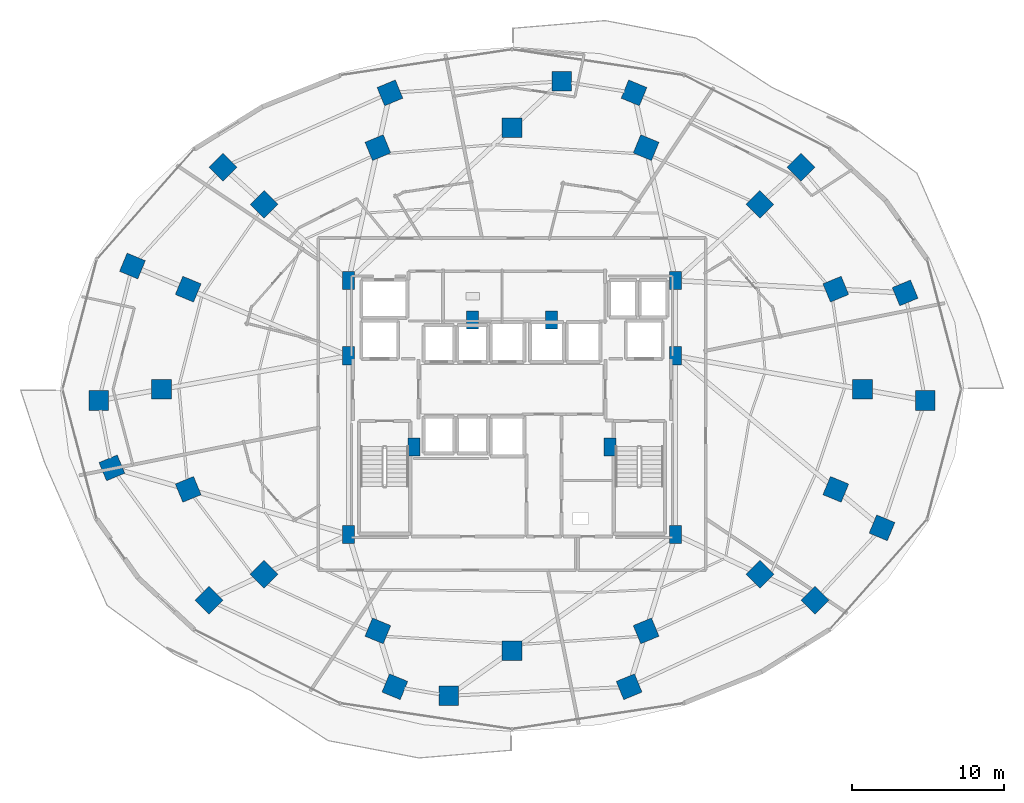
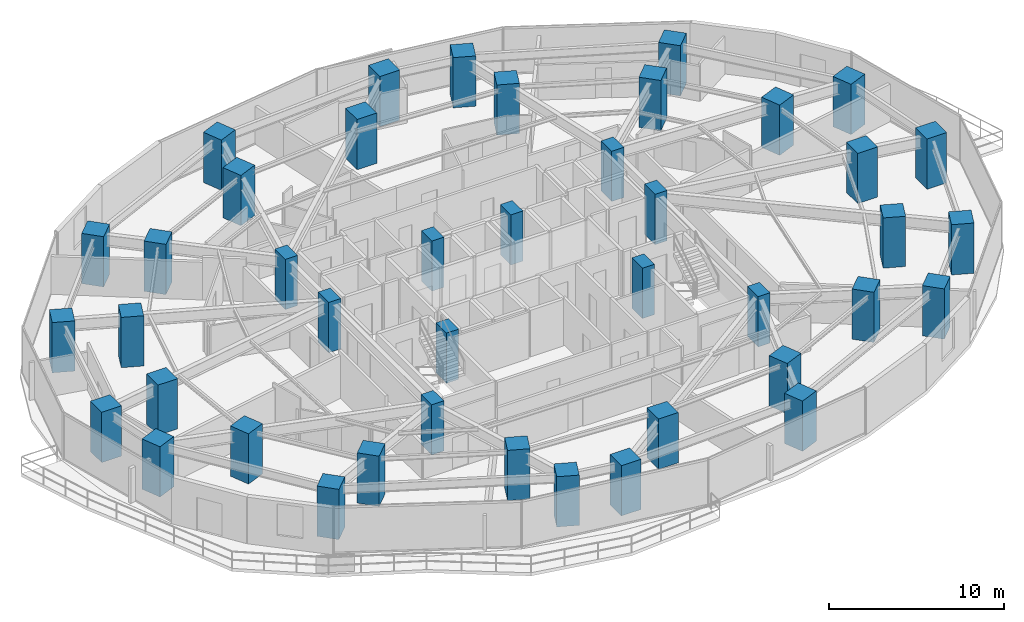
# One storey, part 1 of 33: 42 columns.
"""IFC4 building model written with IfcOpenShell, lengths in metres."""

from ifc_helpers import new_model, si_unit, direction, frame, origin, origin_2d, place, context, subcontext, project, spatial, rectangle, extrude, material, material_profile, profile_set, type_object, element, save


model = new_model("IFC4")

# Units and contexts
model_context = context("Model", 3, precision=1e-05, world=origin(), true_north=direction((0.0, 1.0)))
body_context = subcontext(model_context, "Body", "Model", "MODEL_VIEW")
ifc_project = project(units=[si_unit("LENGTHUNIT", "METRE"), si_unit("AREAUNIT", "SQUARE_METRE"), si_unit("VOLUMEUNIT", "CUBIC_METRE"), si_unit("PLANEANGLEUNIT", "RADIAN"), si_unit("MASSUNIT", "GRAM", prefix="KILO")], contexts=[model_context])

# Site, building, storey
site_placement = place(None, origin())
site = spatial("IfcSite", under=ifc_project, at=site_placement, CompositionType="ELEMENT")
building_placement = place(site_placement, origin())
building = spatial("IfcBuilding", under=site, at=building_placement, Name="Vorneva Point Tower", CompositionType="ELEMENT")
storey_placement = place(building_placement, frame((0.0, 0.0, 34.5)))
storey = spatial("IfcBuildingStorey", under=building, at=storey_placement, Name="L08", CompositionType="ELEMENT", Elevation=34.5)

# Columns
ifc_material = material(Name="Concrete B60 (C50/60)", Category="concrete")
ifc_material_profile_1 = material_profile(ifc_material, rectangle(XDim=1.300048828125, YDim=1.300048828125, at=origin_2d()), Name="RC-COL 1300x1300")
ifc_profile_set_1 = profile_set([ifc_material_profile_1], Name="Concrete B60 (C50/60)")
column_type_1 = type_object("IfcColumnType", Name="COL-RC1300", PredefinedType="COLUMN", material=ifc_profile_set_1)
for number, where, z_axis, x_axis, name in (
    (1, (61.050048828125, 26.0, 0.0), (0.0, 0.0, 1.0), (1.0, 0.0, 0.0), "L08 Perimeter Column P01"),
    (2, (59.29541015625, 32.582275390625, 0.0), (0.0, 0.0, 1.0), (0.923879532511, 0.382683432365, 0.0), "L08 Perimeter Column P02"),
    (3, (54.298828125, 38.162109375, 0.0), (0.0, 0.0, 1.0), (0.707106781187, 0.707106781187, 0.0), "L08 Perimeter Column P03"),
    (4, (46.82080078125, 41.890625, 0.0), (0.0, 0.0, 1.0), (0.382683432365, 0.923879532511, 0.0), "L08 Perimeter Column P04"),
    (5, (38.0, 43.199951171875, 0.0), (0.0, 0.0, 1.0), (0.0, 1.0, 0.0), "L08 Perimeter Column P05"),
    (6, (29.17919921875, 41.890625, 0.0), (0.0, 0.0, 1.0), (-0.382683432365, 0.923879532511, 0.0), "L08 Perimeter Column P06"),
    (7, (21.701171875, 38.162109375, 0.0), (0.0, 0.0, 1.0), (-0.707106781187, 0.707106781187, 0.0), "L08 Perimeter Column P07"),
    (8, (16.70458984375, 32.582275390625, 0.0), (0.0, 0.0, 1.0), (-0.923879532511, 0.382683432365, 0.0), "L08 Perimeter Column P08"),
    (9, (14.949951171875, 26.0, 0.0), (0.0, 0.0, 1.0), (-1.0, 0.0, 0.0), "L08 Perimeter Column P09"),
    (10, (16.70458984375, 19.417724609375, 0.0), (0.0, 0.0, 1.0), (-0.923879532511, -0.382683432365, 0.0), "L08 Perimeter Column P10"),
    (11, (21.701171875, 13.837890625, 0.0), (0.0, 0.0, 1.0), (-0.707106781187, -0.707106781187, 0.0), "L08 Perimeter Column P11"),
    (12, (29.17919921875, 10.109375, 0.0), (0.0, 0.0, 1.0), (-0.382683432365, -0.923879532511, 0.0), "L08 Perimeter Column P12"),
    (13, (38.0, 8.800048828125, 0.0), (0.0, 0.0, 1.0), (0.0, -1.0, 0.0), "L08 Perimeter Column P13"),
    (14, (46.82080078125, 10.109375, 0.0), (0.0, 0.0, 1.0), (0.382683432365, -0.923879532511, 0.0), "L08 Perimeter Column P14"),
    (15, (54.298828125, 13.837890625, 0.0), (0.0, 0.0, 1.0), (0.707106781187, -0.707106781187, 0.0), "L08 Perimeter Column P15"),
    (16, (59.29541015625, 19.417724609375, 0.0), (0.0, 0.0, 1.0), (0.923879532511, -0.382683432365, 0.0), "L08 Perimeter Column P16"),
    (17, (65.18212890625, 25.260986328125, 0.0), (0.0, 0.0, 1.0), (1.0, 0.0, 0.0), "L08 Outer Zone Column OP01"),
    (18, (63.8544921875, 32.336669921875, 0.0), (0.0, 0.0, 1.0), (0.923879532511, 0.382683432365, 0.0), "L08 Outer Zone Column OP02"),
    (19, (56.997314453125, 40.599853515625, 0.0), (0.0, 0.0, 1.0), (0.707106781187, 0.707106781187, 0.0), "L08 Outer Zone Column OP03"),
    (20, (46.026123046875, 45.49169921875, 0.0), (0.0, 0.0, 1.0), (0.382683432365, 0.923879532511, 0.0), "L08 Outer Zone Column OP04"),
    (21, (41.26513671875, 46.25244140625, 0.0), (0.0, 0.0, 1.0), (0.0, 1.0, 0.0), "L08 Outer Zone Column OP05"),
    (22, (29.973876953125, 45.49169921875, 0.0), (0.0, 0.0, 1.0), (-0.382683432365, 0.923879532511, 0.0), "L08 Outer Zone Column OP06"),
    (23, (19.002685546875, 40.599853515625, 0.0), (0.0, 0.0, 1.0), (-0.707106781187, 0.707106781187, 0.0), "L08 Outer Zone Column OP07"),
    (24, (13.0390625, 34.10546875, 0.0), (0.0, 0.0, 1.0), (-0.923879532511, 0.382683432365, 0.0), "L08 Outer Zone Column OP08"),
    (25, (10.81787109375, 25.260986328125, 0.0), (0.0, 0.0, 1.0), (-1.0, 0.0, 0.0), "L08 Outer Zone Column OP09"),
    (26, (11.68798828125, 20.82958984375, 0.0), (0.0, 0.0, 1.0), (-0.923879532511, -0.382683432365, 0.0), "L08 Outer Zone Column OP10"),
    (27, (18.061279296875, 12.124267578125, 0.0), (0.0, 0.0, 1.0), (-0.707106781187, -0.707106781187, 0.0), "L08 Outer Zone Column OP11"),
    (28, (30.296875, 6.435302734375, 0.0), (0.0, 0.0, 1.0), (-0.382683432365, -0.923879532511, 0.0), "L08 Outer Zone Column OP12"),
    (29, (33.84033203125, 5.83984375, 0.0), (0.0, 0.0, 1.0), (0.0, -1.0, 0.0), "L08 Outer Zone Column OP13"),
    (30, (45.703125, 6.435302734375, 0.0), (0.0, 0.0, 1.0), (0.382683432365, -0.923879532511, 0.0), "L08 Outer Zone Column OP14"),
    (31, (57.938720703125, 12.124267578125, 0.0), (0.0, 0.0, 1.0), (0.707106781187, -0.707106781187, 0.0), "L08 Outer Zone Column OP15"),
    (32, (62.3349609375, 16.886474609375, 0.0), (0.0, 0.0, 1.0), (0.923879532511, -0.382683432365, 0.0), "L08 Outer Zone Column OP16"),
):
    element("IfcColumn", number, at=place(storey_placement, frame(where, z_axis=z_axis, x_axis=x_axis)), inside=storey, type_object=column_type_1, Name=name, PredefinedType="COLUMN", context=body_context, shape_type="SweptSolid", body=[
        extrude(rectangle(XDim=1.300048828125, YDim=1.300048828125, at=origin_2d()), origin(), (0.0, 0.0, 1.0), 3.5),
    ])
ifc_material_profile_2 = material_profile(ifc_material, rectangle(XDim=0.800048828125, YDim=1.199951171875, at=origin_2d()), Name="RC-PIL 1200x800")
ifc_profile_set_2 = profile_set([ifc_material_profile_2], Name="Concrete B60 (C50/60)")
column_type_2 = type_object("IfcColumnType", Name="PIL-RC1200x800", PredefinedType="PILASTER", material=ifc_profile_set_2)
for number, where, z_axis, x_axis, name in (
    (33, (27.25, 16.449951171875, 0.0), (0.0, 0.0, 1.0), (1.0, 0.0, 0.0), "L08 Core Pilaster CP1"),
    (34, (27.25, 28.199951171875, 0.0), (0.0, 0.0, 1.0), (1.0, 0.0, 0.0), "L08 Core Pilaster CP2"),
    (35, (27.25, 33.14990234375, 0.0), (0.0, 0.0, 1.0), (1.0, 0.0, 0.0), "L08 Core Pilaster CP3"),
    (36, (31.550048828125, 22.199951171875, 0.0), (0.0, 0.0, 1.0), (1.0, 0.0, 0.0), "L08 Core Pilaster CP4"),
    (37, (48.75, 33.14990234375, 0.0), (0.0, 0.0, 1.0), (1.0, 0.0, 0.0), "L08 Core Pilaster CP5"),
    (38, (48.75, 28.199951171875, 0.0), (0.0, 0.0, 1.0), (1.0, 0.0, 0.0), "L08 Core Pilaster CP6"),
    (39, (48.75, 16.449951171875, 0.0), (0.0, 0.0, 1.0), (1.0, 0.0, 0.0), "L08 Core Pilaster CP7"),
    (40, (44.449951171875, 22.199951171875, 0.0), (0.0, 0.0, 1.0), (1.0, 0.0, 0.0), "L08 Core Pilaster CP8"),
    (41, (35.39990234375, 30.550048828125, 0.0), (0.0, 0.0, 1.0), (1.0, 0.0, 0.0), "L08 Core Pilaster CP9"),
    (42, (40.60009765625, 30.550048828125, 0.0), (0.0, 0.0, 1.0), (1.0, 0.0, 0.0), "L08 Core Pilaster CP10"),
):
    element("IfcColumn", number, at=place(storey_placement, frame(where, z_axis=z_axis, x_axis=x_axis)), inside=storey, type_object=column_type_2, Name=name, PredefinedType="PILASTER", context=body_context, shape_type="SweptSolid", body=[
        extrude(rectangle(XDim=0.800048828125, YDim=1.199951171875, at=origin_2d()), origin(), (0.0, 0.0, 1.0), 3.5),
    ])

save(model, "model.ifc")
